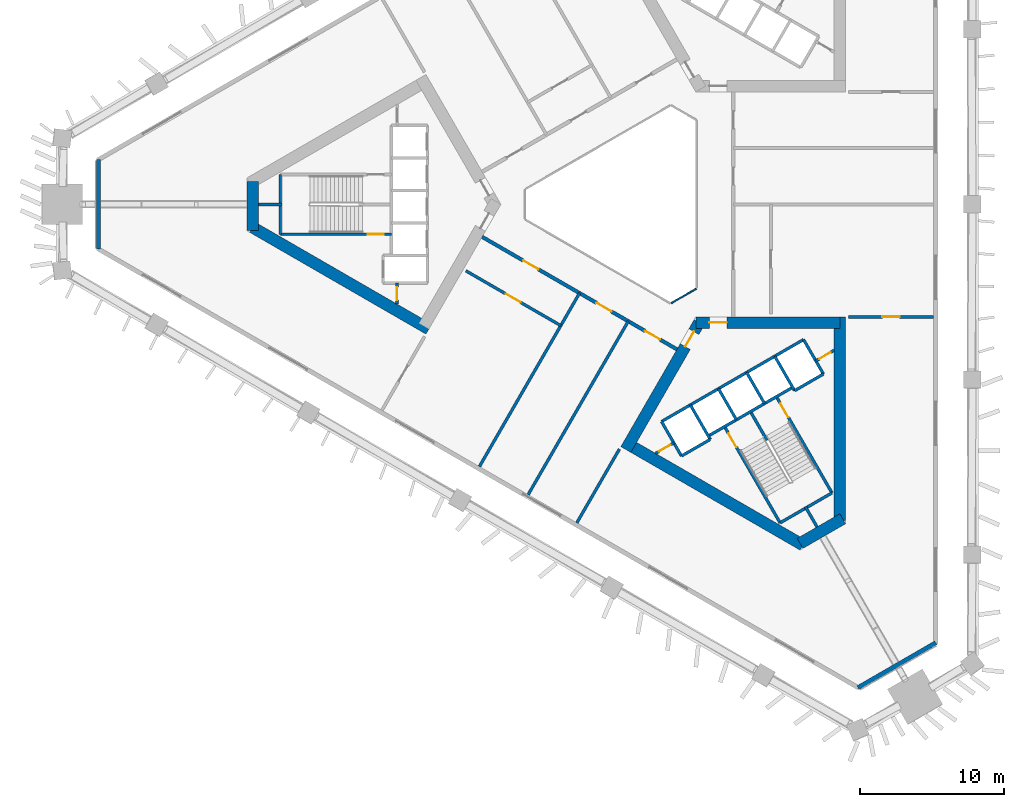
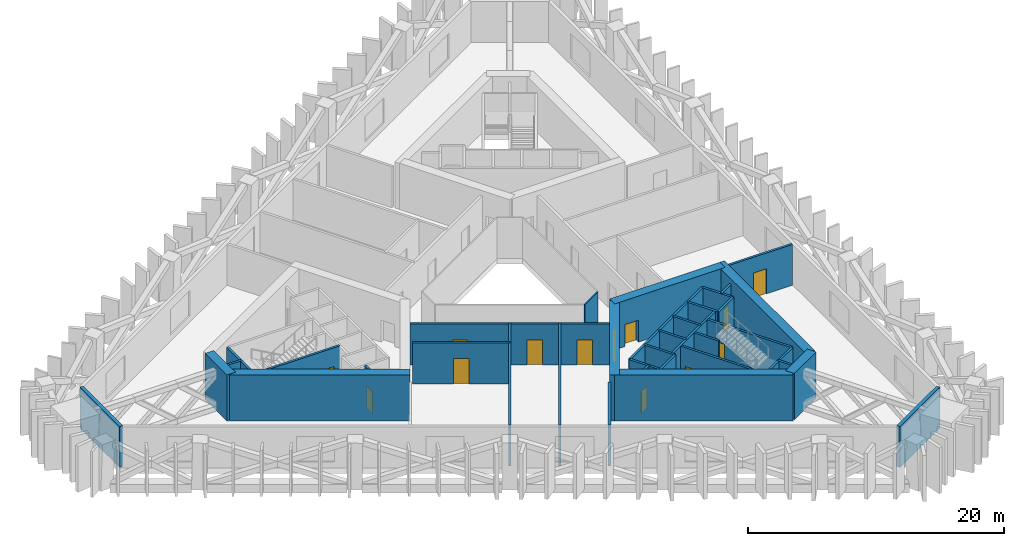
# One storey, part 4 of 9: 37 walls, 13 doors, 13 openings.
"""IFC4 building model written with IfcOpenShell, lengths in metres."""

from ifc_helpers import new_model, si_unit, direction, frame, frame_2d, origin, place, context, subcontext, project, spatial, rectangle, extrude, material, layer, layer_set, type_object, element, fill, save


model = new_model("IFC4")

# Units and contexts
model_context = context("Model", 3, precision=1e-05, world=origin(), true_north=direction((0.0, 1.0)))
body_context = subcontext(model_context, "Body", "Model", "MODEL_VIEW")
ifc_project = project(units=[si_unit("LENGTHUNIT", "METRE"), si_unit("AREAUNIT", "SQUARE_METRE"), si_unit("VOLUMEUNIT", "CUBIC_METRE"), si_unit("PLANEANGLEUNIT", "RADIAN"), si_unit("MASSUNIT", "GRAM", prefix="KILO")], contexts=[model_context])

# Site, building, storey
site_placement = place(None, origin())
site = spatial("IfcSite", under=ifc_project, at=site_placement, CompositionType="ELEMENT")
building_placement = place(site_placement, origin())
building = spatial("IfcBuilding", under=site, at=building_placement, Name="Jabali Bay Hotel Tower and Convention Centre", CompositionType="ELEMENT")
storey_placement = place(building_placement, frame((0.0, 0.0, 48.5)))
storey = spatial("IfcBuildingStorey", under=building, at=storey_placement, Name="L10", CompositionType="ELEMENT", Elevation=48.5)

# Walls
ifc_material_1 = material(Name="Fire-resistant glazing", Category="glass")
ifc_layer_1 = layer(ifc_material_1, 0.10009765625)
ifc_layer_set_1 = layer_set([ifc_layer_1], Name="Fire-resistant glazing")
wall_type_1 = type_object("IfcWallType", Name="Atrium glazed screen 100", PredefinedType="PARTITIONING", material=ifc_layer_set_1)
wall_1_placement = place(storey_placement, frame((77.7978515625, 73.15380859375, 0.0), z_axis=(0.0, 0.0, 1.0), x_axis=(0.866041268327, 0.499972520799, 0.0)))
element("IfcWall", 1, at=wall_1_placement, inside=storey, type_object=wall_type_1, Name="Atrium screen 6 L10", PredefinedType="PARTITIONING", context=body_context, shape_type="SweptSolid", body=[
    extrude(rectangle(XDim=2.0, YDim=0.10009765625, at=frame_2d((1.0, 0.0))), origin(), (0.0, 0.0, 1.0), 3.89990234375),
])
ifc_material_2 = material(Name="Concrete C40", Category="concrete")
ifc_layer_2 = layer(ifc_material_2, 0.199951171875)
ifc_layer_set_2 = layer_set([ifc_layer_2], Name="Concrete C40")
wall_type_2 = type_object("IfcWallType", Name="Core partition wall 200", PredefinedType="PARTITIONING", material=ifc_layer_set_2)
wall_2_placement = place(storey_placement, frame((50.820068359375, 80.0, 0.0), z_axis=(0.0, 0.0, 1.0), x_axis=(-1.0, 0.0, 0.0)))
element("IfcWall", 2, at=wall_2_placement, inside=storey, type_object=wall_type_2, Name="Core wall 0.5 L10", PredefinedType="PARTITIONING", context=body_context, shape_type="SweptSolid", body=[
    extrude(rectangle(XDim=1.623046875, YDim=0.199951171875, at=frame_2d((0.8115234375, 0.0))), origin(), (0.0, 0.0, 1.0), 3.89990234375),
])

# Wall, opening, door
wall_3_placement = place(storey_placement, frame((58.800048828125, 74.550048828125, 0.0), z_axis=(0.0, 0.0, 1.0), x_axis=(0.0, -1.0, 0.0)))
wall_3 = element("IfcWall", 3, at=wall_3_placement, inside=storey, type_object=wall_type_2, Name="Core wall 0.12 L10", PredefinedType="PARTITIONING", context=body_context, shape_type="SweptSolid", body=[
    extrude(rectangle(XDim=1.455078125, YDim=0.199951171875, at=frame_2d((0.7275390625, 0.0))), origin(), (0.0, 0.0, 1.0), 3.89990234375),
])
opening_1_placement = place(wall_3_placement, frame((0.277587890625, 0.0, 0.0)))
opening_1 = element("IfcOpeningElement", 4, at=opening_1_placement, cuts=wall_3, Name="Opening D290", PredefinedType="OPENING", context=body_context, shape_type="SweptSolid", body=[
    extrude(rectangle(XDim=0.89990234375, YDim=2.10009765625, at=frame_2d((0.449951171875, 1.050048828125))), frame((0.0, 0.1103515625, 0.0), z_axis=(0.0, -1.0, 0.0), x_axis=(1.0, 0.0, 0.0)), (0.0, 0.0, 1.0), 0.220947265625),
])
ifc_material_3 = material(Name="Fire-rated steel door", Category="steel")
door_type_1 = type_object("IfcDoorType", Name="Vestibule fire door 900 x 2100", OperationType="NOTDEFINED", PredefinedType="NOTDEFINED", material=ifc_material_3)
door_1_placement = place(opening_1_placement, origin())
door_1 = element("IfcDoor", 5, at=door_1_placement, inside=storey, type_object=door_type_1, Name="Vestibule fire door D290", OperationType="SINGLE_SWING_LEFT", OverallHeight=2.10009765625, OverallWidth=0.89990234375, PredefinedType="NOTDEFINED", context=body_context, shape_type="SweptSolid", body=[
    extrude(rectangle(XDim=0.89990234375, YDim=2.10009765625, at=frame_2d((0.449951171875, 1.050048828125))), frame((0.0, 0.02490234375, 0.0), z_axis=(0.0, -1.0, 0.0), x_axis=(1.0, 0.0, 0.0)), (0.0, 0.0, 1.0), 0.050048828125),
])
fill(opening_1, door_1)

# Wall
wall_4_placement = place(storey_placement, frame((87.090087890625, 59.0595703125, 0.0), z_axis=(0.0, 0.0, 1.0), x_axis=(0.499956811548, -0.866050337213, 0.0)))
element("IfcWall", 6, at=wall_4_placement, inside=storey, type_object=wall_type_2, Name="Core wall 2.5 L10", PredefinedType="PARTITIONING", context=body_context, shape_type="SweptSolid", body=[
    extrude(rectangle(XDim=1.623291015625, YDim=0.199951171875, at=frame_2d((0.8115234375, 0.0))), origin(), (0.0, 0.0, 1.0), 3.89990234375),
])

# Wall, opening, door
wall_5_placement = place(storey_placement, frame((76.719970703125, 62.748779296875, 0.0), z_axis=(0.0, 0.0, 1.0), x_axis=(0.866054810376, 0.49994906283, 0.0)))
wall_5 = element("IfcWall", 7, at=wall_5_placement, inside=storey, type_object=wall_type_2, Name="Core wall 2.11 L10", PredefinedType="PARTITIONING", context=body_context, shape_type="SweptSolid", body=[
    extrude(rectangle(XDim=1.461181640625, YDim=0.199951171875, at=frame_2d((0.73046875, 0.0))), origin(), (0.0, 0.0, 1.0), 3.89990234375),
])
opening_2_placement = place(wall_5_placement, frame((0.280517578125, 0.0, 0.0)))
opening_2 = element("IfcOpeningElement", 8, at=opening_2_placement, cuts=wall_5, Name="Opening D303", PredefinedType="OPENING", context=body_context, shape_type="SweptSolid", body=[
    extrude(rectangle(XDim=0.89990234375, YDim=2.10009765625, at=frame_2d((0.449951171875, 1.050048828125))), frame((0.0, 0.1103515625, 0.0), z_axis=(0.0, -1.0, 0.0), x_axis=(1.0, 0.0, 0.0)), (0.0, 0.0, 1.0), 0.220947265625),
])
door_2_placement = place(opening_2_placement, origin())
door_2 = element("IfcDoor", 9, at=door_2_placement, inside=storey, type_object=door_type_1, Name="Vestibule fire door D303", OperationType="SINGLE_SWING_LEFT", OverallHeight=2.10009765625, OverallWidth=0.89990234375, PredefinedType="NOTDEFINED", context=body_context, shape_type="SweptSolid", body=[
    extrude(rectangle(XDim=0.89990234375, YDim=2.10009765625, at=frame_2d((0.449951171875, 1.050048828125))), frame((0.0, 0.02490234375, 0.0), z_axis=(0.0, -1.0, 0.0), x_axis=(1.0, 0.0, 0.0)), (0.0, 0.0, 1.0), 0.050048828125),
])
fill(opening_2, door_2)

wall_6_placement = place(storey_placement, frame((87.814697265625, 69.154296875, 0.0), z_axis=(0.0, 0.0, 1.0), x_axis=(0.866054810376, 0.49994906283, 0.0)))
wall_6 = element("IfcWall", 10, at=wall_6_placement, inside=storey, type_object=wall_type_2, Name="Core wall 2.12 L10", PredefinedType="PARTITIONING", context=body_context, shape_type="SweptSolid", body=[
    extrude(rectangle(XDim=1.461181640625, YDim=0.199951171875, at=frame_2d((0.73046875, 0.0))), origin(), (0.0, 0.0, 1.0), 3.89990234375),
])
opening_3_placement = place(wall_6_placement, frame((0.280517578125, 0.0, 0.0)))
opening_3 = element("IfcOpeningElement", 11, at=opening_3_placement, cuts=wall_6, Name="Opening D302", PredefinedType="OPENING", context=body_context, shape_type="SweptSolid", body=[
    extrude(rectangle(XDim=0.89990234375, YDim=2.10009765625, at=frame_2d((0.449951171875, 1.050048828125))), frame((0.0, 0.1103515625, 0.0), z_axis=(0.0, -1.0, 0.0), x_axis=(1.0, 0.0, 0.0)), (0.0, 0.0, 1.0), 0.220947265625),
])
door_3_placement = place(opening_3_placement, origin())
door_3 = element("IfcDoor", 12, at=door_3_placement, inside=storey, type_object=door_type_1, Name="Vestibule fire door D302", OperationType="SINGLE_SWING_LEFT", OverallHeight=2.10009765625, OverallWidth=0.89990234375, PredefinedType="NOTDEFINED", context=body_context, shape_type="SweptSolid", body=[
    extrude(rectangle(XDim=0.89990234375, YDim=2.10009765625, at=frame_2d((0.449951171875, 1.050048828125))), frame((0.0, 0.02490234375, 0.0), z_axis=(0.0, -1.0, 0.0), x_axis=(1.0, 0.0, 0.0)), (0.0, 0.0, 1.0), 0.050048828125),
])
fill(opening_3, door_3)

ifc_layer_3 = layer(ifc_material_2, 0.199951171875)
ifc_layer_set_3 = layer_set([ifc_layer_3], Name="Concrete C40")
wall_type_3 = type_object("IfcWallType", Name="Core stair wall 200", PredefinedType="SOLIDWALL", material=ifc_layer_set_3)
wall_7_placement = place(storey_placement, frame((58.419921875, 77.925048828125, 0.0), z_axis=(0.0, 0.0, 1.0), x_axis=(-1.0, 0.0, 0.0)))
wall_7 = element("IfcWall", 13, at=wall_7_placement, inside=storey, type_object=wall_type_3, Name="Core wall 0.7 L10", PredefinedType="SOLIDWALL", context=body_context, shape_type="SweptSolid", body=[
    extrude(rectangle(XDim=7.699951171875, YDim=0.199951171875, at=frame_2d((3.85009765625, 0.0))), origin(), (0.0, 0.0, 1.0), 3.89990234375),
])
opening_4_placement = place(wall_7_placement, frame((0.550048828125, 0.0, 0.0)))
opening_4 = element("IfcOpeningElement", 14, at=opening_4_placement, cuts=wall_7, Name="Opening D292", PredefinedType="OPENING", context=body_context, shape_type="SweptSolid", body=[
    extrude(rectangle(XDim=1.10009765625, YDim=2.10009765625, at=frame_2d((0.550048828125, 1.050048828125))), frame((0.0, 0.1103515625, 0.0), z_axis=(0.0, -1.0, 0.0), x_axis=(1.0, 0.0, 0.0)), (0.0, 0.0, 1.0), 0.220947265625),
])
door_type_2 = type_object("IfcDoorType", Name="Stair fire door 1100 x 2100", OperationType="NOTDEFINED", PredefinedType="NOTDEFINED", material=ifc_material_3)
door_4_placement = place(opening_4_placement, origin())
door_4 = element("IfcDoor", 15, at=door_4_placement, inside=storey, type_object=door_type_2, Name="Stair fire door D292", OperationType="SINGLE_SWING_RIGHT", OverallHeight=2.10009765625, OverallWidth=1.10009765625, PredefinedType="NOTDEFINED", context=body_context, shape_type="SweptSolid", body=[
    extrude(rectangle(XDim=1.10009765625, YDim=2.10009765625, at=frame_2d((0.550048828125, 1.050048828125))), frame((0.0, 0.02490234375, 0.0), z_axis=(0.0, -1.0, 0.0), x_axis=(1.0, 0.0, 0.0)), (0.0, 0.0, 1.0), 0.050048828125),
])
fill(opening_4, door_4)

# Walls
wall_8_placement = place(storey_placement, frame((50.719970703125, 82.074951171875, 0.0), z_axis=(0.0, 0.0, 1.0), x_axis=(0.0, -1.0, 0.0)))
element("IfcWall", 16, at=wall_8_placement, inside=storey, type_object=wall_type_3, Name="Core wall 0.15 L10", PredefinedType="SOLIDWALL", context=body_context, shape_type="SweptSolid", body=[
    extrude(rectangle(XDim=4.14990234375, YDim=0.199951171875, at=frame_2d((2.074951171875, 0.0))), origin(), (0.0, 0.0, 1.0), 3.89990234375),
])
for number, where, z_axis, x_axis, name in (
    (17, (77.13525390625, 64.95166015625, 0.0), (0.0, 0.0, 1.0), (0.499996545922, -0.866027397988, 0.0), "Core wall 2.0 L10"),
    (18, (79.127197265625, 66.1015625, 0.0), (0.0, 0.0, 1.0), (0.499996545922, -0.866027397988, 0.0), "Core wall 2.1 L10"),
):
    element("IfcWall", number, at=place(storey_placement, frame(where, z_axis=z_axis, x_axis=x_axis)), inside=storey, type_object=wall_type_3, Name=name, PredefinedType="SOLIDWALL", context=body_context, shape_type="SweptSolid", body=[
        extrude(rectangle(XDim=2.75, YDim=0.199951171875, at=frame_2d((1.375, 0.0))), origin(), (0.0, 0.0, 1.0), 3.89990234375),
    ])

# Wall, opening, door
wall_9_placement = place(storey_placement, frame((81.492919921875, 64.603759765625, 0.0), z_axis=(0.0, 0.0, 1.0), x_axis=(0.500006057782, -0.866021906294, 0.0)))
wall_9 = element("IfcWall", 19, at=wall_9_placement, inside=storey, type_object=wall_type_3, Name="Core wall 2.2 L10", PredefinedType="SOLIDWALL", context=body_context, shape_type="SweptSolid", body=[
    extrude(rectangle(XDim=7.7001953125, YDim=0.199951171875, at=frame_2d((3.85009765625, 0.0))), origin(), (0.0, 0.0, 1.0), 3.89990234375),
])
opening_5_placement = place(wall_9_placement, frame((0.550048828125, 0.0, 0.0)))
opening_5 = element("IfcOpeningElement", 20, at=opening_5_placement, cuts=wall_9, Name="Opening D305", PredefinedType="OPENING", context=body_context, shape_type="SweptSolid", body=[
    extrude(rectangle(XDim=1.10009765625, YDim=2.10009765625, at=frame_2d((0.550048828125, 1.050048828125))), frame((0.0, 0.1103515625, 0.0), z_axis=(0.0, -1.0, 0.0), x_axis=(1.0, 0.0, 0.0)), (0.0, 0.0, 1.0), 0.220947265625),
])
door_5_placement = place(opening_5_placement, origin())
door_5 = element("IfcDoor", 21, at=door_5_placement, inside=storey, type_object=door_type_2, Name="Stair fire door D305", OperationType="SINGLE_SWING_LEFT", OverallHeight=2.10009765625, OverallWidth=1.10009765625, PredefinedType="NOTDEFINED", context=body_context, shape_type="SweptSolid", body=[
    extrude(rectangle(XDim=1.10009765625, YDim=2.10009765625, at=frame_2d((0.550048828125, 1.050048828125))), frame((0.0, 0.02490234375, 0.0), z_axis=(0.0, -1.0, 0.0), x_axis=(1.0, 0.0, 0.0)), (0.0, 0.0, 1.0), 0.050048828125),
])
fill(opening_5, door_5)

# Walls
wall_10_placement = place(storey_placement, frame((81.07568359375, 67.2265625, 0.0), z_axis=(0.0, 0.0, 1.0), x_axis=(0.50000366821, -0.866023285932, 0.0)))
element("IfcWall", 22, at=wall_10_placement, inside=storey, type_object=wall_type_3, Name="Core wall 2.3 L10", PredefinedType="SOLIDWALL", context=body_context, shape_type="SweptSolid", body=[
    extrude(rectangle(XDim=2.47998046875, YDim=0.199951171875, at=frame_2d((1.239990234375, 0.0))), origin(), (0.0, 0.0, 1.0), 3.89990234375),
])
wall_11_placement = place(storey_placement, frame((83.340087890625, 65.5546875, 0.0), z_axis=(0.0, 0.0, 1.0), x_axis=(0.499946605688, -0.86605622881, 0.0)))
element("IfcWall", 23, at=wall_11_placement, inside=storey, type_object=wall_type_3, Name="Core wall 2.4 L10", PredefinedType="SOLIDWALL", context=body_context, shape_type="SweptSolid", body=[
    extrude(rectangle(XDim=2.199951171875, YDim=0.199951171875, at=frame_2d((1.10009765625, 0.0))), origin(), (0.0, 0.0, 1.0), 3.89990234375),
])
wall_12_placement = place(storey_placement, frame((83.024169921875, 68.3515625, 0.0), z_axis=(0.0, 0.0, 1.0), x_axis=(0.50000366821, -0.866023285932, 0.0)))
element("IfcWall", 24, at=wall_12_placement, inside=storey, type_object=wall_type_3, Name="Core wall 2.6 L10", PredefinedType="SOLIDWALL", context=body_context, shape_type="SweptSolid", body=[
    extrude(rectangle(XDim=2.47998046875, YDim=0.199951171875, at=frame_2d((1.239990234375, 0.0))), origin(), (0.0, 0.0, 1.0), 3.89990234375),
])

# Wall, opening, door
wall_13_placement = place(storey_placement, frame((85.0869140625, 66.6787109375, 0.0), z_axis=(0.0, 0.0, 1.0), x_axis=(0.500019787375, -0.866013979237, 0.0)))
wall_13 = element("IfcWall", 25, at=wall_13_placement, inside=storey, type_object=wall_type_3, Name="Core wall 2.7 L10", PredefinedType="SOLIDWALL", context=body_context, shape_type="SweptSolid", body=[
    extrude(rectangle(XDim=7.699951171875, YDim=0.199951171875, at=frame_2d((3.85009765625, 0.0))), origin(), (0.0, 0.0, 1.0), 3.89990234375),
])
opening_6_placement = place(wall_13_placement, frame((0.550048828125, 0.0, 0.0)))
opening_6 = element("IfcOpeningElement", 26, at=opening_6_placement, cuts=wall_13, Name="Opening D304", PredefinedType="OPENING", context=body_context, shape_type="SweptSolid", body=[
    extrude(rectangle(XDim=1.10009765625, YDim=2.10009765625, at=frame_2d((0.550048828125, 1.050048828125))), frame((0.0, 0.1103515625, 0.0), z_axis=(0.0, -1.0, 0.0), x_axis=(1.0, 0.0, 0.0)), (0.0, 0.0, 1.0), 0.220947265625),
])
door_6_placement = place(opening_6_placement, origin())
door_6 = element("IfcDoor", 27, at=door_6_placement, inside=storey, type_object=door_type_2, Name="Stair fire door D304", OperationType="SINGLE_SWING_RIGHT", OverallHeight=2.10009765625, OverallWidth=1.10009765625, PredefinedType="NOTDEFINED", context=body_context, shape_type="SweptSolid", body=[
    extrude(rectangle(XDim=1.10009765625, YDim=2.10009765625, at=frame_2d((0.550048828125, 1.050048828125))), frame((0.0, 0.02490234375, 0.0), z_axis=(0.0, -1.0, 0.0), x_axis=(1.0, 0.0, 0.0)), (0.0, 0.0, 1.0), 0.050048828125),
])
fill(opening_6, door_6)

# Walls
for number, where, z_axis, x_axis, name in (
    (28, (84.972900390625, 69.4765625, 0.0), (0.0, 0.0, 1.0), (0.499996545922, -0.866027397988, 0.0), "Core wall 2.8 L10"),
    (29, (86.964599609375, 70.62646484375, 0.0), (0.0, 0.0, 1.0), (0.499996545922, -0.866027397988, 0.0), "Core wall 2.9 L10"),
):
    element("IfcWall", number, at=place(storey_placement, frame(where, z_axis=z_axis, x_axis=x_axis)), inside=storey, type_object=wall_type_3, Name=name, PredefinedType="SOLIDWALL", context=body_context, shape_type="SweptSolid", body=[
        extrude(rectangle(XDim=2.75, YDim=0.199951171875, at=frame_2d((1.375, 0.0))), origin(), (0.0, 0.0, 1.0), 3.89990234375),
    ])
wall_14_placement = place(storey_placement, frame((77.13525390625, 64.95166015625, 0.0), z_axis=(0.0, 0.0, 1.0), x_axis=(0.866031916153, 0.499988720078, 0.0)))
element("IfcWall", 30, at=wall_14_placement, inside=storey, type_object=wall_type_3, Name="Core wall 2.10 L10", PredefinedType="SOLIDWALL", context=body_context, shape_type="SweptSolid", body=[
    extrude(rectangle(XDim=11.349853515625, YDim=0.199951171875, at=frame_2d((5.6748046875, 0.0))), origin(), (0.0, 0.0, 1.0), 3.89990234375),
])
wall_15_placement = place(storey_placement, frame((80.3671875, 63.953857421875, 0.0), z_axis=(0.0, 0.0, 1.0), x_axis=(0.866026575979, 0.499997969693, 0.0)))
element("IfcWall", 31, at=wall_15_placement, inside=storey, type_object=wall_type_3, Name="Core wall 2.13 L10", PredefinedType="SOLIDWALL", context=body_context, shape_type="SweptSolid", body=[
    extrude(rectangle(XDim=6.75, YDim=0.199951171875, at=frame_2d((3.375, 0.0))), origin(), (0.0, 0.0, 1.0), 3.89990234375),
])
wall_16_placement = place(storey_placement, frame((78.51025390625, 62.570068359375, 0.0), z_axis=(0.0, 0.0, 1.0), x_axis=(0.866053019151, 0.499952165731, 0.0)))
element("IfcWall", 32, at=wall_16_placement, inside=storey, type_object=wall_type_3, Name="Core wall 2.14 L10", PredefinedType="SOLIDWALL", context=body_context, shape_type="SweptSolid", body=[
    extrude(rectangle(XDim=2.300048828125, YDim=0.199951171875, at=frame_2d((1.14990234375, 0.0))), origin(), (0.0, 0.0, 1.0), 3.89990234375),
])
wall_17_placement = place(storey_placement, frame((86.347900390625, 67.094970703125, 0.0), z_axis=(0.0, 0.0, 1.0), x_axis=(0.86602648383, 0.499998129301, 0.0)))
element("IfcWall", 33, at=wall_17_placement, inside=storey, type_object=wall_type_3, Name="Core wall 2.15 L10", PredefinedType="SOLIDWALL", context=body_context, shape_type="SweptSolid", body=[
    extrude(rectangle(XDim=2.2998046875, YDim=0.199951171875, at=frame_2d((1.14990234375, 0.0))), origin(), (0.0, 0.0, 1.0), 3.89990234375),
])
wall_18_placement = place(storey_placement, frame((85.343017578125, 57.935302734375, 0.0), z_axis=(0.0, 0.0, 1.0), x_axis=(0.866004344652, 0.500036473714, 0.0)))
element("IfcWall", 34, at=wall_18_placement, inside=storey, type_object=wall_type_3, Name="Core wall 2.16 L10", PredefinedType="SOLIDWALL", context=body_context, shape_type="SweptSolid", body=[
    extrude(rectangle(XDim=4.150146484375, YDim=0.199951171875, at=frame_2d((2.0751953125, 0.0))), origin(), (0.0, 0.0, 1.0), 3.89990234375),
])
ifc_material_4 = material(Name="Concrete C60", Category="concrete")
ifc_layer_4 = layer(ifc_material_4, 0.800048828125)
ifc_layer_set_4 = layer_set([ifc_layer_4], Name="Concrete C60")
wall_type_4 = type_object("IfcWallType", Name="Core wall 800", PredefinedType="SHEAR", material=ifc_layer_set_4)
wall_19_placement = place(storey_placement, frame((48.796875, 81.591796875, 0.0), z_axis=(0.0, 0.0, 1.0), x_axis=(0.0, -1.0, 0.0)))
element("IfcWall", 35, at=wall_19_placement, inside=storey, type_object=wall_type_4, Name="Core wall 1.3 L10", PredefinedType="SHEAR", context=body_context, shape_type="SweptSolid", body=[
    extrude(rectangle(XDim=3.41455078125, YDim=0.800048828125, at=frame_2d((1.707275390625, 0.0))), origin(), (0.0, 0.0, 1.0), 4.39990234375),
])
wall_20_placement = place(storey_placement, frame((48.796875, 78.408203125, 0.0), z_axis=(0.0, 0.0, 1.0), x_axis=(0.866032504327, -0.499987701298, 0.0)))
element("IfcWall", 36, at=wall_20_placement, inside=storey, type_object=wall_type_4, Name="Core wall 1.4 L10", PredefinedType="SHEAR", context=body_context, shape_type="SweptSolid", body=[
    extrude(rectangle(XDim=14.102294921875, YDim=0.800048828125, at=frame_2d((7.05126953125, 0.0))), origin(), (0.0, 0.0, 1.0), 4.39990234375),
])

# Wall, opening, door
wall_21_placement = place(storey_placement, frame((79.73095703125, 71.8056640625, 0.0), z_axis=(0.0, 0.0, 1.0), x_axis=(-0.49999662545, -0.866027352073, 0.0)))
wall_21 = element("IfcWall", 37, at=wall_21_placement, inside=storey, type_object=wall_type_4, Name="Core wall 3.1 L10", PredefinedType="SHEAR", context=body_context, shape_type="SweptSolid", body=[
    extrude(rectangle(XDim=10.14892578125, YDim=0.800048828125, at=frame_2d((5.074462890625, 0.0))), origin(), (0.0, 0.0, 1.0), 4.39990234375),
])
opening_7_placement = place(wall_21_placement, frame((0.718994140625, 0.0, 0.0)))
opening_7 = element("IfcOpeningElement", 38, at=opening_7_placement, cuts=wall_21, Name="Opening D300", PredefinedType="OPENING", context=body_context, shape_type="SweptSolid", body=[
    extrude(rectangle(XDim=1.199951171875, YDim=2.10009765625, at=frame_2d((0.60009765625, 1.050048828125))), frame((0.0, 0.41064453125, 0.0), z_axis=(0.0, -1.0, 0.0), x_axis=(1.0, 0.0, 0.0)), (0.0, 0.0, 1.0), 0.821044921875),
])
door_type_3 = type_object("IfcDoorType", Name="Corridor end fire door 1200 x 2100", OperationType="NOTDEFINED", PredefinedType="NOTDEFINED", material=ifc_material_3)
door_7_placement = place(opening_7_placement, origin())
door_7 = element("IfcDoor", 39, at=door_7_placement, inside=storey, type_object=door_type_3, Name="Corridor end fire door D300", OperationType="SINGLE_SWING_RIGHT", OverallHeight=2.10009765625, OverallWidth=1.199951171875, PredefinedType="NOTDEFINED", context=body_context, shape_type="SweptSolid", body=[
    extrude(rectangle(XDim=1.199951171875, YDim=2.10009765625, at=frame_2d((0.60009765625, 1.050048828125))), frame((0.0, 0.02490234375, 0.0), z_axis=(0.0, -1.0, 0.0), x_axis=(1.0, 0.0, 0.0)), (0.0, 0.0, 1.0), 0.050048828125),
])
fill(opening_7, door_7)

# Walls
wall_22_placement = place(storey_placement, frame((74.8564453125, 63.36279296875, 0.0), z_axis=(0.0, 0.0, 1.0), x_axis=(0.866029478545, -0.499992942241, 0.0)))
element("IfcWall", 40, at=wall_22_placement, inside=storey, type_object=wall_type_4, Name="Core wall 3.2 L10", PredefinedType="SHEAR", context=body_context, shape_type="SweptSolid", body=[
    extrude(rectangle(XDim=13.933349609375, YDim=0.800048828125, at=frame_2d((6.966796875, 0.0))), origin(), (0.0, 0.0, 1.0), 4.39990234375),
])
wall_23_placement = place(storey_placement, frame((86.72314453125, 56.51171875, 0.0), z_axis=(0.0, 0.0, 1.0), x_axis=(0.866034355626, 0.499984494636, 0.0)))
element("IfcWall", 41, at=wall_23_placement, inside=storey, type_object=wall_type_4, Name="Core wall 3.3 L10", PredefinedType="SHEAR", context=body_context, shape_type="SweptSolid", body=[
    extrude(rectangle(XDim=3.4140625, YDim=0.800048828125, at=frame_2d((1.70703125, 0.0))), origin(), (0.0, 0.0, 1.0), 4.39990234375),
])
wall_24_placement = place(storey_placement, frame((89.47998046875, 58.103271484375, 0.0), z_axis=(0.0, 0.0, 1.0), x_axis=(0.0, 1.0, 0.0)))
element("IfcWall", 42, at=wall_24_placement, inside=storey, type_object=wall_type_4, Name="Core wall 3.4 L10", PredefinedType="SHEAR", context=body_context, shape_type="SweptSolid", body=[
    extrude(rectangle(XDim=14.1025390625, YDim=0.800048828125, at=frame_2d((7.05126953125, 0.0))), origin(), (0.0, 0.0, 1.0), 4.39990234375),
])

# Wall, opening, door
wall_25_placement = place(storey_placement, frame((89.47998046875, 71.8056640625, 0.0), z_axis=(0.0, 0.0, 1.0), x_axis=(-1.0, 0.0, 0.0)))
wall_25 = element("IfcWall", 43, at=wall_25_placement, inside=storey, type_object=wall_type_4, Name="Core wall 3.5 L10", PredefinedType="SHEAR", context=body_context, shape_type="SweptSolid", body=[
    extrude(rectangle(XDim=9.97998046875, YDim=0.800048828125, at=frame_2d((4.989990234375, 0.0))), origin(), (0.0, 0.0, 1.0), 4.39990234375),
])
opening_8_placement = place(wall_25_placement, frame((7.830078125, 0.0, 0.0)))
opening_8 = element("IfcOpeningElement", 44, at=opening_8_placement, cuts=wall_25, Name="Opening D301", PredefinedType="OPENING", context=body_context, shape_type="SweptSolid", body=[
    extrude(rectangle(XDim=1.199951171875, YDim=2.10009765625, at=frame_2d((0.60009765625, 1.050048828125))), frame((0.0, 0.41064453125, 0.0), z_axis=(0.0, -1.0, 0.0), x_axis=(1.0, 0.0, 0.0)), (0.0, 0.0, 1.0), 0.821044921875),
])
door_8_placement = place(opening_8_placement, origin())
door_8 = element("IfcDoor", 45, at=door_8_placement, inside=storey, type_object=door_type_3, Name="Corridor end fire door D301", OperationType="SINGLE_SWING_LEFT", OverallHeight=2.10009765625, OverallWidth=1.199951171875, PredefinedType="NOTDEFINED", context=body_context, shape_type="SweptSolid", body=[
    extrude(rectangle(XDim=1.199951171875, YDim=2.10009765625, at=frame_2d((0.60009765625, 1.050048828125))), frame((0.0, 0.02490234375, 0.0), z_axis=(0.0, -1.0, 0.0), x_axis=(1.0, 0.0, 0.0)), (0.0, 0.0, 1.0), 0.050048828125),
])
fill(opening_8, door_8)

# Wall, openings, doors
ifc_layer_5 = layer(ifc_material_4, 0.25)
ifc_layer_set_5 = layer_set([ifc_layer_5], Name="Concrete C60")
wall_type_5 = type_object("IfcWallType", Name="Corridor wall 250", PredefinedType="SHEAR", material=ifc_layer_set_5)
wall_26_placement = place(storey_placement, frame((64.699951171875, 77.748291015625, 0.0), z_axis=(0.0, 0.0, 1.0), x_axis=(0.866026492143, -0.499998114903, 0.0)))
wall_26 = element("IfcWall", 46, at=wall_26_placement, inside=storey, type_object=wall_type_5, Name="Corridor wall 3 L10", PredefinedType="SHEAR", context=body_context, shape_type="SweptSolid", body=[
    extrude(rectangle(XDim=15.58837890625, YDim=0.25, at=frame_2d((7.794189453125, 0.0))), origin(), (0.0, 0.0, 1.0), 3.89990234375),
])
opening_9_placement = place(wall_26_placement, frame((3.297119140625, 0.0, 0.0)))
opening_9 = element("IfcOpeningElement", 47, at=opening_9_placement, cuts=wall_26, Name="Opening 1009", PredefinedType="OPENING", context=body_context, shape_type="SweptSolid", body=[
    extrude(rectangle(XDim=1.199951171875, YDim=2.39990234375, at=frame_2d((0.60009765625, 1.199951171875))), frame((0.0, 0.135498046875, 0.0), z_axis=(0.0, -1.0, 0.0), x_axis=(1.0, 0.0, 0.0)), (0.0, 0.0, 1.0), 0.27099609375),
])
opening_10_placement = place(wall_26_placement, frame((9.142822265625, 0.0, 0.0)))
opening_10 = element("IfcOpeningElement", 48, at=opening_10_placement, cuts=wall_26, Name="Opening 1011", PredefinedType="OPENING", context=body_context, shape_type="SweptSolid", body=[
    extrude(rectangle(XDim=1.199951171875, YDim=2.39990234375, at=frame_2d((0.60009765625, 1.199951171875))), frame((0.0, 0.135498046875, 0.0), z_axis=(0.0, -1.0, 0.0), x_axis=(1.0, 0.0, 0.0)), (0.0, 0.0, 1.0), 0.27099609375),
])
opening_11_placement = place(wall_26_placement, frame((13.039794921875, 0.0, 0.0)))
opening_11 = element("IfcOpeningElement", 49, at=opening_11_placement, cuts=wall_26, Name="Opening 1012", PredefinedType="OPENING", context=body_context, shape_type="SweptSolid", body=[
    extrude(rectangle(XDim=1.199951171875, YDim=2.39990234375, at=frame_2d((0.60009765625, 1.199951171875))), frame((0.0, 0.135498046875, 0.0), z_axis=(0.0, -1.0, 0.0), x_axis=(1.0, 0.0, 0.0)), (0.0, 0.0, 1.0), 0.27099609375),
])
ifc_material_5 = material(Name="Steel Q355B", Category="steel")
door_type_4 = type_object("IfcDoorType", Name="Plant room door 1200 x 2400", OperationType="NOTDEFINED", PredefinedType="NOTDEFINED", material=ifc_material_5)
door_9_placement = place(opening_10_placement, origin())
door_9 = element("IfcDoor", 50, at=door_9_placement, inside=storey, type_object=door_type_4, Name="Door 1011", OperationType="SINGLE_SWING_RIGHT", OverallHeight=2.39990234375, OverallWidth=1.199951171875, PredefinedType="NOTDEFINED", context=body_context, shape_type="SweptSolid", body=[
    extrude(rectangle(XDim=1.199951171875, YDim=2.39990234375, at=frame_2d((0.60009765625, 1.199951171875))), frame((0.0, 0.02490234375, 0.0), z_axis=(0.0, -1.0, 0.0), x_axis=(1.0, 0.0, 0.0)), (0.0, 0.0, 1.0), 0.050048828125),
])
fill(opening_10, door_9)
ifc_material_6 = material(Name="Timber", Category="wood")
door_type_5 = type_object("IfcDoorType", Name="Public room door 1200 x 2400", OperationType="NOTDEFINED", PredefinedType="NOTDEFINED", material=ifc_material_6)
door_10_placement = place(opening_11_placement, origin())
door_10 = element("IfcDoor", 51, at=door_10_placement, inside=storey, type_object=door_type_5, Name="Door 1012", OperationType="SINGLE_SWING_RIGHT", OverallHeight=2.39990234375, OverallWidth=1.199951171875, PredefinedType="NOTDEFINED", context=body_context, shape_type="SweptSolid", body=[
    extrude(rectangle(XDim=1.199951171875, YDim=2.39990234375, at=frame_2d((0.60009765625, 1.199951171875))), frame((0.0, 0.02490234375, 0.0), z_axis=(0.0, -1.0, 0.0), x_axis=(1.0, 0.0, 0.0)), (0.0, 0.0, 1.0), 0.050048828125),
])
fill(opening_11, door_10)
door_type_6 = type_object("IfcDoorType", Name="Refuge hall door 1200 x 2400", OperationType="NOTDEFINED", PredefinedType="NOTDEFINED", material=ifc_material_5)
door_11_placement = place(opening_9_placement, origin())
door_11 = element("IfcDoor", 52, at=door_11_placement, inside=storey, type_object=door_type_6, Name="Door 1009", OperationType="SINGLE_SWING_LEFT", OverallHeight=2.39990234375, OverallWidth=1.199951171875, PredefinedType="NOTDEFINED", context=body_context, shape_type="SweptSolid", body=[
    extrude(rectangle(XDim=1.199951171875, YDim=2.39990234375, at=frame_2d((0.60009765625, 1.199951171875))), frame((0.0, 0.02490234375, 0.0), z_axis=(0.0, -1.0, 0.0), x_axis=(1.0, 0.0, 0.0)), (0.0, 0.0, 1.0), 0.050048828125),
])
fill(opening_9, door_11)

# Walls
ifc_layer_6 = layer(ifc_material_2, 0.300048828125)
ifc_layer_set_6 = layer_set([ifc_layer_6], Name="Concrete C40")
wall_type_6 = type_object("IfcWallType", Name="External wall 300", PredefinedType="SOLIDWALL", material=ifc_layer_set_6)
for number, where, z_axis, x_axis, name in (
    (53, (38.130859375, 76.8916015625, 0.0), (0.0, 0.0, 1.0), (0.0, 1.0, 0.0), "External wall west chamfer L10"),
    (54, (96.12646484375, 49.62451171875, 0.0), (0.0, 0.0, 1.0), (-0.866020780657, -0.500008007406, 0.0), "External wall south-east chamfer L10"),
):
    element("IfcWall", number, at=place(storey_placement, frame(where, z_axis=z_axis, x_axis=x_axis)), inside=storey, type_object=wall_type_6, Name=name, PredefinedType="SOLIDWALL", context=body_context, shape_type="SweptSolid", body=[
        extrude(rectangle(XDim=6.216796875, YDim=0.300048828125, at=frame_2d((3.1083984375, 0.0))), origin(), (0.0, 0.0, 1.0), 3.89990234375),
    ])
ifc_material_7 = material(Name="Plasterboard on steel stud", Category="steel")
ifc_layer_7 = layer(ifc_material_7, 0.199951171875)
ifc_layer_set_7 = layer_set([ifc_layer_7], Name="Plasterboard on steel stud")
wall_type_7 = type_object("IfcWallType", Name="Partition 200 party", PredefinedType="PARTITIONING", material=ifc_layer_set_7)
wall_27_placement = place(storey_placement, frame((74.21044921875, 63.044189453125, 0.0), z_axis=(0.0, 0.0, 1.0), x_axis=(-0.499985191823, -0.866033953121, 0.0)))
element("IfcWall", 55, at=wall_27_placement, inside=storey, type_object=wall_type_7, Name="Partition P01 L10 015", PredefinedType="PARTITIONING", context=body_context, shape_type="SweptSolid", body=[
    extrude(rectangle(XDim=5.898681640625, YDim=0.199951171875, at=frame_2d((2.94921875, 0.0))), origin(), (0.0, 0.0, 1.0), 3.89990234375),
])
ifc_layer_8 = layer(ifc_material_7, 0.199951171875)
ifc_layer_set_8 = layer_set([ifc_layer_8], Name="Plasterboard on steel stud")
wall_type_8 = type_object("IfcWallType", Name="Partition 200 plant", PredefinedType="PARTITIONING", material=ifc_layer_set_8)
wall_28_placement = place(storey_placement, frame((67.88623046875, 59.88427734375, 0.0), z_axis=(0.0, 0.0, 1.0), x_axis=(0.499997074782, 0.866027092653, 0.0)))
element("IfcWall", 56, at=wall_28_placement, inside=storey, type_object=wall_type_8, Name="Partition P04 L10 014", PredefinedType="PARTITIONING", context=body_context, shape_type="SweptSolid", body=[
    extrude(rectangle(XDim=13.87744140625, YDim=0.199951171875, at=frame_2d((6.938720703125, 0.0))), origin(), (0.0, 0.0, 1.0), 3.89990234375),
])

# Wall, opening, door
ifc_layer_9 = layer(ifc_material_7, 0.199951171875)
ifc_layer_set_9 = layer_set([ifc_layer_9], Name="Plasterboard on steel stud")
wall_type_9 = type_object("IfcWallType", Name="Partition 200 refuge", PredefinedType="PARTITIONING", material=ifc_layer_set_9)
wall_29_placement = place(storey_placement, frame((95.9775390625, 72.205810546875, 0.0), z_axis=(0.0, 0.0, 1.0), x_axis=(-1.0, 0.0, 0.0)))
wall_29 = element("IfcWall", 57, at=wall_29_placement, inside=storey, type_object=wall_type_9, Name="Partition P05 L10 003", PredefinedType="PARTITIONING", context=body_context, shape_type="SweptSolid", body=[
    extrude(rectangle(XDim=5.8984375, YDim=0.199951171875, at=frame_2d((2.94921875, 0.0))), origin(), (0.0, 0.0, 1.0), 3.89990234375),
])
opening_12_placement = place(wall_29_placement, frame((2.34912109375, 0.0, 0.0)))
opening_12 = element("IfcOpeningElement", 58, at=opening_12_placement, cuts=wall_29, Name="Opening 1015", PredefinedType="OPENING", context=body_context, shape_type="SweptSolid", body=[
    extrude(rectangle(XDim=1.199951171875, YDim=2.39990234375, at=frame_2d((0.60009765625, 1.199951171875))), frame((0.0, 0.1103515625, 0.0), z_axis=(0.0, -1.0, 0.0), x_axis=(1.0, 0.0, 0.0)), (0.0, 0.0, 1.0), 0.220947265625),
])
door_12_placement = place(opening_12_placement, origin())
door_12 = element("IfcDoor", 59, at=door_12_placement, inside=storey, type_object=door_type_5, Name="Door 1015", OperationType="SINGLE_SWING_RIGHT", OverallHeight=2.39990234375, OverallWidth=1.199951171875, PredefinedType="NOTDEFINED", context=body_context, shape_type="SweptSolid", body=[
    extrude(rectangle(XDim=1.199951171875, YDim=2.39990234375, at=frame_2d((0.60009765625, 1.199951171875))), frame((0.0, 0.02490234375, 0.0), z_axis=(0.0, -1.0, 0.0), x_axis=(1.0, 0.0, 0.0)), (0.0, 0.0, 1.0), 0.050048828125),
])
fill(opening_12, door_12)

wall_30_placement = place(storey_placement, frame((63.572265625, 75.397216796875, 0.0), z_axis=(0.0, 0.0, 1.0), x_axis=(0.866024999478, -0.500000700278, 0.0)))
wall_30 = element("IfcWall", 60, at=wall_30_placement, inside=storey, type_object=wall_type_9, Name="Partition P05 L10 011", PredefinedType="PARTITIONING", context=body_context, shape_type="SweptSolid", body=[
    extrude(rectangle(XDim=7.59521484375, YDim=0.199951171875, at=frame_2d((3.797607421875, 0.0))), origin(), (0.0, 0.0, 1.0), 3.89990234375),
])
opening_13_placement = place(wall_30_placement, frame((3.197998046875, 0.0, 0.0)))
opening_13 = element("IfcOpeningElement", 61, at=opening_13_placement, cuts=wall_30, Name="Opening 1010", PredefinedType="OPENING", context=body_context, shape_type="SweptSolid", body=[
    extrude(rectangle(XDim=1.199951171875, YDim=2.39990234375, at=frame_2d((0.60009765625, 1.199951171875))), frame((0.0, 0.1103515625, 0.0), z_axis=(0.0, -1.0, 0.0), x_axis=(1.0, 0.0, 0.0)), (0.0, 0.0, 1.0), 0.220947265625),
])
door_13_placement = place(opening_13_placement, origin())
door_13 = element("IfcDoor", 62, at=door_13_placement, inside=storey, type_object=door_type_6, Name="Door 1010", OperationType="SINGLE_SWING_RIGHT", OverallHeight=2.39990234375, OverallWidth=1.199951171875, PredefinedType="NOTDEFINED", context=body_context, shape_type="SweptSolid", body=[
    extrude(rectangle(XDim=1.199951171875, YDim=2.39990234375, at=frame_2d((0.60009765625, 1.199951171875))), frame((0.0, 0.02490234375, 0.0), z_axis=(0.0, -1.0, 0.0), x_axis=(1.0, 0.0, 0.0)), (0.0, 0.0, 1.0), 0.050048828125),
])
fill(opening_13, door_13)

# Wall
wall_31_placement = place(storey_placement, frame((64.51123046875, 61.8330078125, 0.0), z_axis=(0.0, 0.0, 1.0), x_axis=(0.499997074782, 0.866027092653, 0.0)))
element("IfcWall", 63, at=wall_31_placement, inside=storey, type_object=wall_type_9, Name="Partition P05 L10 012", PredefinedType="PARTITIONING", context=body_context, shape_type="SweptSolid", body=[
    extrude(rectangle(XDim=13.87744140625, YDim=0.199951171875, at=frame_2d((6.938720703125, 0.0))), origin(), (0.0, 0.0, 1.0), 3.89990234375),
])

save(model, "model.ifc")
